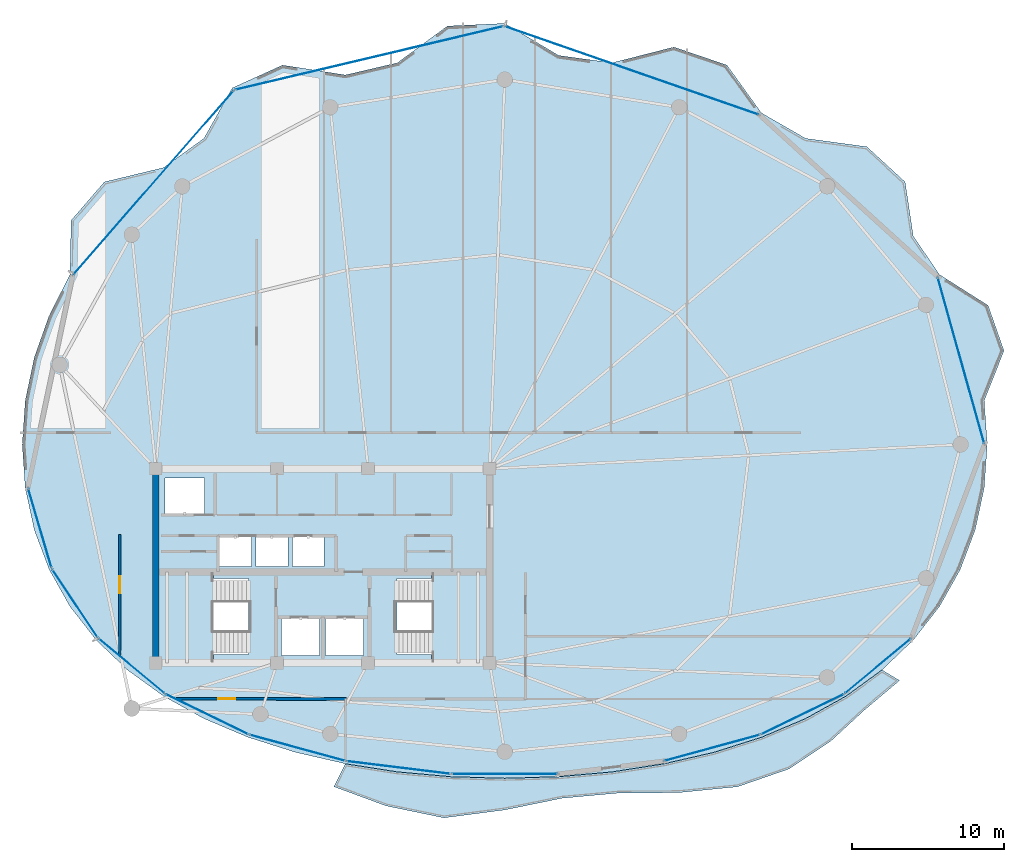
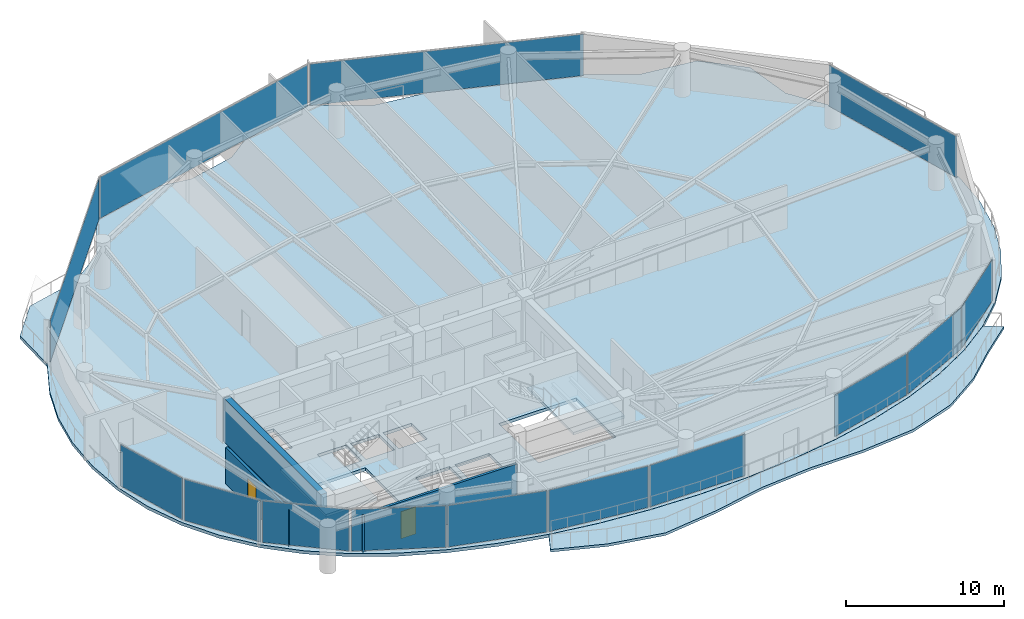
# One storey, part 22 of 28: 14 plates, 4 slabs, 3 walls, 2 doors, 2 openings, 16 elements without a shape of their own.
"""IFC4 building model written with IfcOpenShell, lengths in metres."""

from ifc_helpers import new_model, si_unit, direction, frame, frame_2d, origin, origin_2d, place, context, subcontext, project, spatial, polyline, rectangle, outline, extrude, material, layer, layer_set, type_object, element, fill, aggregate, save


model = new_model("IFC4")

# Units and contexts
model_context = context("Model", 3, precision=1e-05, world=origin(), true_north=direction((0.0, 1.0)))
body_context = subcontext(model_context, "Body", "Model", "MODEL_VIEW")
ifc_project = project(units=[si_unit("LENGTHUNIT", "METRE"), si_unit("AREAUNIT", "SQUARE_METRE"), si_unit("VOLUMEUNIT", "CUBIC_METRE"), si_unit("PLANEANGLEUNIT", "RADIAN"), si_unit("MASSUNIT", "GRAM", prefix="KILO")], contexts=[model_context])

# Site, building, storey
site_placement = place(None, origin())
site = spatial("IfcSite", under=ifc_project, at=site_placement, CompositionType="ELEMENT")
building_placement = place(site_placement, origin())
building = spatial("IfcBuilding", under=site, at=building_placement, Name="Kazevale Care Tower and Concert Hall", CompositionType="ELEMENT")
storey_placement = place(building_placement, frame((0.0, 0.0, 246.0)))
storey = spatial("IfcBuildingStorey", under=building, at=storey_placement, Name="L65", CompositionType="ELEMENT", Elevation=246.0)

# Curtain wall, plate
ifc_material_1 = material(Name="Aluminium 6063-T6 and Low-E Glass", Category="aluminium")
ifc_layer_1 = layer(ifc_material_1, 0.179931640625)
ifc_layer_set_1 = layer_set([ifc_layer_1], Name="Aluminium 6063-T6 and Low-E Glass")
curtain_wall_type_1 = type_object("IfcCurtainWallType", Name="Convex Checkerboard Finned Curtain Wall CW-2", PredefinedType="NOTDEFINED", material=ifc_layer_set_1)
curtain_wall_1_placement = place(storey_placement, origin())
curtain_wall_1 = element("IfcCurtainWall", 1, at=curtain_wall_1_placement, inside=storey, type_object=curtain_wall_type_1, Name="cw:L65:f14", PredefinedType="NOTDEFINED")
ifc_material_2 = material(Name="Low-E Laminated Glass", Category="glass")
ifc_layer_2 = layer(ifc_material_2, 0.028076171875)
ifc_layer_set_2 = layer_set([ifc_layer_2], Name="Low-E Laminated Glass")
plate_type_1 = type_object("IfcPlateType", Name="CW-2 Low-E Glazing Panel 28mm", PredefinedType="CURTAIN_PANEL", material=ifc_layer_set_2)
plate_1_placement = place(storey_placement, frame((21.85009765625, 55.2529296875, 0.074951171875), z_axis=(0.0, 0.0, 1.0), x_axis=(0.657174776708, 0.753738225685, 0.0)))
plate_1 = element("IfcPlate", 2, at=plate_1_placement, type_object=plate_type_1, Name="CW-2 panel 1.1", PredefinedType="CURTAIN_PANEL", context=body_context, shape_type="SweptSolid", body=[
    extrude(rectangle(XDim=16.03662109375, YDim=0.028076171875, at=origin_2d()), origin(), (0.0, 0.0, 1.0), 3.2099609375),
])
aggregate(curtain_wall_1, [plate_1])

curtain_wall_2_placement = place(storey_placement, origin())
curtain_wall_2 = element("IfcCurtainWall", 3, at=curtain_wall_2_placement, inside=storey, type_object=curtain_wall_type_1, Name="cw:L65:f16", PredefinedType="NOTDEFINED")
plate_2_placement = place(storey_placement, frame((53.37451171875, 62.638427734375, 0.074951171875), z_axis=(0.0, 0.0, 1.0), x_axis=(0.94447485363, -0.328583704497, 0.0)))
plate_2 = element("IfcPlate", 4, at=plate_2_placement, type_object=plate_type_1, Name="CW-2 panel 1.1", PredefinedType="CURTAIN_PANEL", context=body_context, shape_type="SweptSolid", body=[
    extrude(rectangle(XDim=17.671142578125, YDim=0.028076171875, at=origin_2d()), origin(), (0.0, 0.0, 1.0), 3.2099609375),
])
aggregate(curtain_wall_2, [plate_2])

ifc_layer_3 = layer(ifc_material_1, 0.179931640625)
ifc_layer_set_3 = layer_set([ifc_layer_3], Name="Aluminium 6063-T6 and Low-E Glass")
curtain_wall_type_2 = type_object("IfcCurtainWallType", Name="Waist & Upper Residential Curtain Wall CW-4", PredefinedType="NOTDEFINED", material=ifc_layer_set_3)
curtain_wall_3_placement = place(storey_placement, origin())
curtain_wall_3 = element("IfcCurtainWall", 5, at=curtain_wall_3_placement, inside=storey, type_object=curtain_wall_type_2, Name="cw:L65:f11", PredefinedType="NOTDEFINED")
ifc_layer_4 = layer(ifc_material_2, 0.030029296875)
ifc_layer_set_4 = layer_set([ifc_layer_4], Name="Low-E Laminated Glass")
plate_type_2 = type_object("IfcPlateType", Name="CW-4 Low-E Glazing Panel 30mm", PredefinedType="CURTAIN_PANEL", material=ifc_layer_set_4)
plate_3_placement = place(storey_placement, frame((16.677978515625, 27.525390625, 0.080078125), z_axis=(0.0, 0.0, 1.0), x_axis=(-0.554616540853, 0.832106058512, 0.0)))
plate_3 = element("IfcPlate", 6, at=plate_3_placement, type_object=plate_type_2, Name="CW-4 panel 1.1", PredefinedType="CURTAIN_PANEL", context=body_context, shape_type="SweptSolid", body=[
    extrude(rectangle(XDim=5.357421875, YDim=0.030029296875, at=origin_2d()), origin(), (0.0, 0.0, 1.0), 3.199951171875),
])
aggregate(curtain_wall_3, [plate_3])

curtain_wall_4_placement = place(storey_placement, origin())
curtain_wall_4 = element("IfcCurtainWall", 7, at=curtain_wall_4_placement, inside=storey, type_object=curtain_wall_type_2, Name="cw:L65:f12", PredefinedType="NOTDEFINED")
plate_4_placement = place(storey_placement, frame((14.363525390625, 32.489013671875, 0.080078125), z_axis=(0.0, 0.0, 1.0), x_axis=(-0.282098184457, 0.959385539982, 0.0)))
plate_4 = element("IfcPlate", 8, at=plate_4_placement, type_object=plate_type_2, Name="CW-4 panel 1.1", PredefinedType="CURTAIN_PANEL", context=body_context, shape_type="SweptSolid", body=[
    extrude(rectangle(XDim=5.40185546875, YDim=0.030029296875, at=origin_2d()), origin(), (0.0, 0.0, 1.0), 3.199951171875),
])
aggregate(curtain_wall_4, [plate_4])

curtain_wall_5_placement = place(storey_placement, origin())
curtain_wall_5 = element("IfcCurtainWall", 9, at=curtain_wall_5_placement, inside=storey, type_object=curtain_wall_type_2, Name="cw:L65:f15", PredefinedType="NOTDEFINED")
plate_5_placement = place(storey_placement, frame((36.06298828125, 63.46240234375, 0.080078125), z_axis=(0.0, 0.0, 1.0), x_axis=(0.973086746233, 0.230439111929, 0.0)))
plate_5 = element("IfcPlate", 10, at=plate_5_placement, type_object=plate_type_2, Name="CW-4 panel 1.1", PredefinedType="CURTAIN_PANEL", context=body_context, shape_type="SweptSolid", body=[
    extrude(rectangle(XDim=18.11376953125, YDim=0.030029296875, at=origin_2d()), origin(), (0.0, 0.0, 1.0), 3.199951171875),
])
aggregate(curtain_wall_5, [plate_5])

curtain_wall_6_placement = place(storey_placement, origin())
curtain_wall_6 = element("IfcCurtainWall", 11, at=curtain_wall_6_placement, inside=storey, type_object=curtain_wall_type_2, Name="cw:L65:f18", PredefinedType="NOTDEFINED")
plate_6_placement = place(storey_placement, frame((75.071533203125, 43.531005859375, 0.080078125), z_axis=(0.0, 0.0, 1.0), x_axis=(0.269600864915, -0.962972156211, 0.0)))
plate_6 = element("IfcPlate", 12, at=plate_6_placement, type_object=plate_type_2, Name="CW-4 panel 1.1", PredefinedType="CURTAIN_PANEL", context=body_context, shape_type="SweptSolid", body=[
    extrude(rectangle(XDim=11.327392578125, YDim=0.030029296875, at=origin_2d()), origin(), (0.0, 0.0, 1.0), 3.199951171875),
])
aggregate(curtain_wall_6, [plate_6])

ifc_layer_5 = layer(ifc_material_1, 0.179931640625)
ifc_layer_set_5 = layer_set([ifc_layer_5], Name="Aluminium 6063-T6 and Low-E Glass")
curtain_wall_type_3 = type_object("IfcCurtainWallType", Name="Sheltered Concave Balcony Curtain Wall CW-5", PredefinedType="NOTDEFINED", material=ifc_layer_set_5)
curtain_wall_7_placement = place(storey_placement, origin())
curtain_wall_7 = element("IfcCurtainWall", 13, at=curtain_wall_7_placement, inside=storey, type_object=curtain_wall_type_3, Name="cw:L65:f02", PredefinedType="NOTDEFINED")
ifc_layer_6 = layer(ifc_material_2, 0.02587890625)
ifc_layer_set_6 = layer_set([ifc_layer_6], Name="Low-E Laminated Glass")
plate_type_3 = type_object("IfcPlateType", Name="CW-5 Low-E Glazing Panel 26mm", PredefinedType="CURTAIN_PANEL", material=ifc_layer_set_6)
plate_7_placement = place(storey_placement, frame((69.590576171875, 23.396484375, 0.074951171875), z_axis=(0.0, 0.0, 1.0), x_axis=(-0.768407210062, -0.639961217204, 0.0)))
plate_7 = element("IfcPlate", 14, at=plate_7_placement, type_object=plate_type_3, Name="CW-5 panel 1.1", PredefinedType="CURTAIN_PANEL", context=body_context, shape_type="SweptSolid", body=[
    extrude(rectangle(XDim=5.580078125, YDim=0.02587890625, at=origin_2d()), origin(), (0.0, 0.0, 1.0), 3.2099609375),
])
aggregate(curtain_wall_7, [plate_7])

curtain_wall_8_placement = place(storey_placement, origin())
curtain_wall_8 = element("IfcCurtainWall", 15, at=curtain_wall_8_placement, inside=storey, type_object=curtain_wall_type_3, Name="cw:L65:f03", PredefinedType="NOTDEFINED")
plate_8_placement = place(storey_placement, frame((64.62255859375, 20.218017578125, 0.074951171875), z_axis=(0.0, 0.0, 1.0), x_axis=(-0.89934566163, -0.437238357087, 0.0)))
plate_8 = element("IfcPlate", 16, at=plate_8_placement, type_object=plate_type_3, Name="CW-5 panel 1.1", PredefinedType="CURTAIN_PANEL", context=body_context, shape_type="SweptSolid", body=[
    extrude(rectangle(XDim=6.002197265625, YDim=0.02587890625, at=origin_2d()), origin(), (0.0, 0.0, 1.0), 3.2099609375),
])
aggregate(curtain_wall_8, [plate_8])

curtain_wall_9_placement = place(storey_placement, origin())
curtain_wall_9 = element("IfcCurtainWall", 17, at=curtain_wall_9_placement, inside=storey, type_object=curtain_wall_type_3, Name="cw:L65:f04", PredefinedType="NOTDEFINED")
plate_9_placement = place(storey_placement, frame((58.66259765625, 18.0029296875, 0.074951171875), z_axis=(0.0, 0.0, 1.0), x_axis=(-0.964836991167, -0.262848968947, 0.0)))
plate_9 = element("IfcPlate", 18, at=plate_9_placement, type_object=plate_type_3, Name="CW-5 panel 1.1", PredefinedType="CURTAIN_PANEL", context=body_context, shape_type="SweptSolid", body=[
    extrude(rectangle(XDim=6.4697265625, YDim=0.02587890625, at=origin_2d()), origin(), (0.0, 0.0, 1.0), 3.2099609375),
])
aggregate(curtain_wall_9, [plate_9])

curtain_wall_10_placement = place(storey_placement, origin())
curtain_wall_10 = element("IfcCurtainWall", 19, at=curtain_wall_10_placement, inside=storey, type_object=curtain_wall_type_3, Name="cw:L65:f06", PredefinedType="NOTDEFINED")
plate_10_placement = place(storey_placement, frame((45.0, 16.284912109375, 0.074951171875), z_axis=(0.0, 0.0, 1.0), x_axis=(-1.0, 0.0, 0.0)))
plate_10 = element("IfcPlate", 20, at=plate_10_placement, type_object=plate_type_3, Name="CW-5 panel 1.1", PredefinedType="CURTAIN_PANEL", context=body_context, shape_type="SweptSolid", body=[
    extrude(rectangle(XDim=6.949951171875, YDim=0.02587890625, at=origin_2d()), origin(), (0.0, 0.0, 1.0), 3.2099609375),
])
aggregate(curtain_wall_10, [plate_10])

curtain_wall_11_placement = place(storey_placement, origin())
curtain_wall_11 = element("IfcCurtainWall", 21, at=curtain_wall_11_placement, inside=storey, type_object=curtain_wall_type_3, Name="cw:L65:f07", PredefinedType="NOTDEFINED")
plate_11_placement = place(storey_placement, frame((37.990478515625, 16.708984375, 0.074951171875), z_axis=(0.0, 0.0, 1.0), x_axis=(-0.992572961225, 0.121650797964, 0.0)))
plate_11 = element("IfcPlate", 22, at=plate_11_placement, type_object=plate_type_3, Name="CW-5 panel 1.1", PredefinedType="CURTAIN_PANEL", context=body_context, shape_type="SweptSolid", body=[
    extrude(rectangle(XDim=6.82080078125, YDim=0.02587890625, at=origin_2d()), origin(), (0.0, 0.0, 1.0), 3.2099609375),
])
aggregate(curtain_wall_11, [plate_11])

curtain_wall_12_placement = place(storey_placement, origin())
curtain_wall_12 = element("IfcCurtainWall", 23, at=curtain_wall_12_placement, inside=storey, type_object=curtain_wall_type_3, Name="cw:L65:f08", PredefinedType="NOTDEFINED")
plate_12_placement = place(storey_placement, frame((31.33740234375, 18.0029296875, 0.074951171875), z_axis=(0.0, 0.0, 1.0), x_axis=(-0.964836991167, 0.262848968947, 0.0)))
plate_12 = element("IfcPlate", 24, at=plate_12_placement, type_object=plate_type_3, Name="CW-5 panel 1.1", PredefinedType="CURTAIN_PANEL", context=body_context, shape_type="SweptSolid", body=[
    extrude(rectangle(XDim=6.4697265625, YDim=0.02587890625, at=origin_2d()), origin(), (0.0, 0.0, 1.0), 3.2099609375),
])
aggregate(curtain_wall_12, [plate_12])

curtain_wall_13_placement = place(storey_placement, origin())
curtain_wall_13 = element("IfcCurtainWall", 25, at=curtain_wall_13_placement, inside=storey, type_object=curtain_wall_type_3, Name="cw:L65:f09", PredefinedType="NOTDEFINED")
plate_13_placement = place(storey_placement, frame((25.37744140625, 20.218017578125, 0.074951171875), z_axis=(0.0, 0.0, 1.0), x_axis=(-0.89934566163, 0.437238357087, 0.0)))
plate_13 = element("IfcPlate", 26, at=plate_13_placement, type_object=plate_type_3, Name="CW-5 panel 1.1", PredefinedType="CURTAIN_PANEL", context=body_context, shape_type="SweptSolid", body=[
    extrude(rectangle(XDim=6.002197265625, YDim=0.02587890625, at=origin_2d()), origin(), (0.0, 0.0, 1.0), 3.2099609375),
])
aggregate(curtain_wall_13, [plate_13])

curtain_wall_14_placement = place(storey_placement, origin())
curtain_wall_14 = element("IfcCurtainWall", 27, at=curtain_wall_14_placement, inside=storey, type_object=curtain_wall_type_3, Name="cw:L65:f10", PredefinedType="NOTDEFINED")
plate_14_placement = place(storey_placement, frame((20.409423828125, 23.396484375, 0.074951171875), z_axis=(0.0, 0.0, 1.0), x_axis=(-0.768407210062, 0.639961217204, 0.0)))
plate_14 = element("IfcPlate", 28, at=plate_14_placement, type_object=plate_type_3, Name="CW-5 panel 1.1", PredefinedType="CURTAIN_PANEL", context=body_context, shape_type="SweptSolid", body=[
    extrude(rectangle(XDim=5.580078125, YDim=0.02587890625, at=origin_2d()), origin(), (0.0, 0.0, 1.0), 3.2099609375),
])
aggregate(curtain_wall_14, [plate_14])

# Slab
ifc_material_3 = material(Name="Concrete C40", Category="concrete")
ifc_layer_7 = layer(ifc_material_3, 0.199951171875)
ifc_layer_set_7 = layer_set([ifc_layer_7], Name="Concrete C40")
slab_type_1 = type_object("IfcSlabType", Name="Sinusoidal Concave Balcony Slab 200", PredefinedType="USERDEFINED", material=ifc_layer_set_7)
slab_1_placement = place(storey_placement, frame((0.0, 0.0, -0.199951171875)))
element("IfcSlab", 29, at=slab_1_placement, inside=storey, type_object=slab_type_1, Name="slab:L65:bal", ObjectType="BALCONY", PredefinedType="USERDEFINED", context=body_context, shape_type="SweptSolid", body=[
    extrude(outline(polyline([(71.021240234375, 22.44384765625), (68.714599609375, 20.504150390625), (66.472900390625, 18.43408203125), (63.746826171875, 16.6181640625), (60.34375, 15.43994140625), (56.45263671875, 15.052978515625), (52.53369140625, 15.027099609375), (48.791259765625, 14.6865234375), (45.0, 13.91357421875), (40.998046875, 13.39111328125), (37.187744140625, 14.177734375), (33.743408203125, 15.446044921875), (34.494873046875, 16.951416015625), (34.49609375, 16.951171875), (37.923095703125, 16.417236328125), (41.439208984375, 16.10009765625), (45.0, 15.9951171875), (48.560791015625, 16.10009765625), (52.076904296875, 16.417236328125), (55.50390625, 16.951171875), (58.798828125, 17.708740234375), (61.92041015625, 18.69873046875), (64.8291015625, 19.92919921875), (67.48876953125, 21.406494140625), (69.865478515625, 23.133056640625), (69.86669921875, 23.13427734375), (71.021240234375, 22.44384765625)])), origin(), (0.0, 0.0, 1.0), 0.199951171875),
])

# Stair, slab
stair_type = type_object("IfcStairType", Name="Exit Stair Assembly ST1-Z3", PredefinedType="HALF_TURN_STAIR", material=ifc_material_3)
stair_1_placement = place(storey_placement, origin())
stair_1 = element("IfcStair", 30, at=stair_1_placement, inside=storey, type_object=stair_type, Name="stair:L65:ST1", PredefinedType="HALF_TURN_STAIR")
ifc_layer_8 = layer(ifc_material_3, 0.199951171875)
ifc_layer_set_8 = layer_set([ifc_layer_8], Name="Concrete C40")
slab_type_2 = type_object("IfcSlabType", Name="Stair Half-Landing Slab ST1-Z3", PredefinedType="LANDING", material=ifc_layer_set_8)
slab_2_placement = place(storey_placement, frame((0.0, 0.0, 1.60009765625)))
slab_2 = element("IfcSlab", 31, at=slab_2_placement, type_object=slab_type_2, Name="ST1-Z3 landing 1", PredefinedType="LANDING", context=body_context, shape_type="SweptSolid", body=[
    extrude(outline(polyline([(22.050048828125, 23.699951171875), (25.81005859375, 23.699951171875), (25.81005859375, 29.5), (22.050048828125, 29.5), (22.050048828125, 23.699951171875)])), origin(), (0.0, 0.0, 1.0), 0.199951171875),
])
aggregate(stair_1, [slab_2])

stair_2_placement = place(storey_placement, origin())
stair_2 = element("IfcStair", 32, at=stair_2_placement, inside=storey, type_object=stair_type, Name="stair:L65:ST2", PredefinedType="HALF_TURN_STAIR")
slab_3_placement = place(storey_placement, frame((0.0, 0.0, 1.60009765625)))
slab_3 = element("IfcSlab", 33, at=slab_3_placement, type_object=slab_type_2, Name="ST1-Z3 landing 1", PredefinedType="LANDING", context=body_context, shape_type="SweptSolid", body=[
    extrude(outline(polyline([(40.18994140625, 23.699951171875), (43.949951171875, 23.699951171875), (43.949951171875, 29.5), (40.18994140625, 29.5), (40.18994140625, 23.699951171875)])), origin(), (0.0, 0.0, 1.0), 0.199951171875),
])
aggregate(stair_2, [slab_3])

# Slab
ifc_layer_9 = layer(ifc_material_3, 0.239990234375)
ifc_layer_set_9 = layer_set([ifc_layer_9], Name="Concrete C40")
slab_type_3 = type_object("IfcSlabType", Name="Tower Typical Floor Slab 240", PredefinedType="FLOOR", material=ifc_layer_set_9)
slab_4_placement = place(storey_placement, frame((0.0, 0.0, -0.239990234375)))
element("IfcSlab", 34, at=slab_4_placement, inside=storey, type_object=slab_type_3, Name="slab:L65:tw:1", PredefinedType="FLOOR", context=body_context, shape_type="SweptSolid", body=[
    extrude(outline(polyline([(76.800048828125, 38.0), (76.60009765625, 40.888671875), (77.90380859375, 44.175048828125), (76.856201171875, 47.165283203125), (73.65087890625, 49.194091796875), (71.92578125, 51.726318359375), (71.38671875, 55.3017578125), (68.864990234375, 57.622314453125), (64.826904296875, 58.17138671875), (61.918701171875, 59.845458984375), (59.6435546875, 63.001953125), (56.14697265625, 64.19287109375), (52.076171875, 63.153076171875), (48.560546875, 63.6376953125), (45.0, 65.75), (41.22119140625, 65.575439453125), (37.923828125, 63.153076171875), (34.4970703125, 62.352294921875), (30.3564453125, 63.001953125), (27.0439453125, 61.49658203125), (25.173095703125, 58.17138671875), (22.513916015625, 56.243408203125), (18.61328125, 55.3017578125), (16.423095703125, 52.763916015625), (16.34912109375, 49.194091796875), (14.984619140625, 46.521240234375), (13.997314453125, 43.740966796875), (13.39990234375, 40.888671875), (13.199951171875, 38.0), (13.39990234375, 35.131103515625), (13.997314453125, 32.362060546875), (14.984619140625, 29.744873046875), (16.34912109375, 27.318115234375), (18.07421875, 25.109130859375), (20.1376953125, 23.13671875), (22.513916015625, 21.41064453125), (25.173095703125, 19.933837890625), (28.081298828125, 18.70361328125), (31.202392578125, 17.713623046875), (34.4970703125, 16.9560546875), (37.923828125, 16.422119140625), (41.439453125, 16.10498046875), (45.0, 16.0), (48.560546875, 16.10498046875), (52.076171875, 16.422119140625), (55.5029296875, 16.9560546875), (58.797607421875, 17.713623046875), (61.918701171875, 18.70361328125), (64.826904296875, 19.933837890625), (67.486083984375, 21.41064453125), (69.8623046875, 23.13671875), (71.92578125, 25.109130859375), (73.65087890625, 27.318115234375), (75.015380859375, 29.744873046875), (76.002685546875, 32.362060546875), (76.60009765625, 35.131103515625), (76.800048828125, 38.0)]), holes=[polyline([(22.449951171875, 24.14990234375), (28.110107421875, 24.14990234375), (28.110107421875, 29.14990234375), (22.449951171875, 29.14990234375), (22.449951171875, 24.14990234375)]), polyline([(37.889892578125, 24.14990234375), (43.550048828125, 24.14990234375), (43.550048828125, 29.14990234375), (37.889892578125, 29.14990234375), (37.889892578125, 24.14990234375)]), polyline([(30.300048828125, 24.10009765625), (32.800048828125, 24.10009765625), (32.800048828125, 26.60009765625), (30.300048828125, 26.60009765625), (30.300048828125, 24.10009765625)]), polyline([(33.199951171875, 24.10009765625), (35.699951171875, 24.10009765625), (35.699951171875, 26.60009765625), (33.199951171875, 26.60009765625), (33.199951171875, 24.10009765625)]), polyline([(22.60009765625, 33.39990234375), (25.199951171875, 33.39990234375), (25.199951171875, 35.800048828125), (22.60009765625, 35.800048828125), (22.60009765625, 33.39990234375)]), polyline([(26.199951171875, 29.949951171875), (28.300048828125, 29.949951171875), (28.300048828125, 31.949951171875), (26.199951171875, 31.949951171875), (26.199951171875, 29.949951171875)]), polyline([(28.60009765625, 29.949951171875), (30.699951171875, 29.949951171875), (30.699951171875, 31.949951171875), (28.60009765625, 31.949951171875), (28.60009765625, 29.949951171875)]), polyline([(31.0, 29.949951171875), (33.10009765625, 29.949951171875), (33.10009765625, 31.949951171875), (31.0, 31.949951171875), (31.0, 29.949951171875)])]), origin(), (0.0, 0.0, 1.0), 0.239990234375),
])

# Wall
ifc_material_4 = material(Name="Concrete C50", Category="concrete")
ifc_layer_10 = layer(ifc_material_4, 0.449951171875)
ifc_layer_set_10 = layer_set([ifc_layer_10], Name="Concrete C50")
wall_type_1 = type_object("IfcWallType", Name="Core Shear Wall 450 C50", PredefinedType="SHEAR", material=ifc_layer_set_10)
wall_1_placement = place(storey_placement, frame((22.0, 23.824951171875, 0.0), z_axis=(0.0, 0.0, 1.0), x_axis=(0.0, 1.0, 0.0)))
element("IfcWall", 35, at=wall_1_placement, inside=storey, type_object=wall_type_1, Name="wall:L65:core:W", PredefinedType="SHEAR", context=body_context, shape_type="SweptSolid", body=[
    extrude(rectangle(XDim=12.35009765625, YDim=0.449951171875, at=frame_2d((6.175048828125, 0.0))), origin(), (0.0, 0.0, 1.0), 3.360107421875),
])

# Wall, opening, door
ifc_material_5 = material(Name="Concrete C40 and Acoustic Gypsum", Category="concrete")
ifc_layer_11 = layer(ifc_material_5, 0.179931640625)
ifc_layer_set_11 = layer_set([ifc_layer_11], Name="Concrete C40 and Acoustic Gypsum")
wall_type_2 = type_object("IfcWallType", Name="Fire-Rated Corridor & Party Wall 180", PredefinedType="PARTITIONING", material=ifc_layer_set_11)
wall_2_placement = place(storey_placement, frame((34.56494140625, 21.22509765625, 0.0), z_axis=(0.0, 0.0, 1.0), x_axis=(-0.999998853153, 0.001514494152, 0.0)))
wall_2 = element("IfcWall", 36, at=wall_2_placement, inside=storey, type_object=wall_type_2, Name="wall:L65:auto_012", PredefinedType="PARTITIONING", context=body_context, shape_type="SweptSolid", body=[
    extrude(rectangle(XDim=11.2841796875, YDim=0.179931640625, at=frame_2d((5.64208984375, 0.0))), origin(), (0.0, 0.0, 1.0), 2.889892578125),
])
opening_1_placement = place(wall_2_placement, frame((7.3291015625, 0.0, 0.0)))
opening_1 = element("IfcOpeningElement", 37, at=opening_1_placement, cuts=wall_2, Name="Opening ID-1100", PredefinedType="OPENING", context=body_context, shape_type="SweptSolid", body=[
    extrude(rectangle(XDim=1.10009765625, YDim=2.10009765625, at=frame_2d((0.550048828125, 1.050048828125))), frame((0.0, 0.099853515625, 0.0), z_axis=(0.0, -1.0, 0.0), x_axis=(1.0, 0.0, 0.0)), (0.0, 0.0, 1.0), 0.199951171875),
])
ifc_material_6 = material(Name="Oak Timber Fire Leaf", Category="wood")
door_type = type_object("IfcDoorType", Name="Care Bedroom Accessible Door 1100x2100", OperationType="NOTDEFINED", PredefinedType="DOOR", material=ifc_material_6)
door_1_placement = place(opening_1_placement, origin())
door_1 = element("IfcDoor", 38, at=door_1_placement, inside=storey, type_object=door_type, Name="door:L65:ad_012", OperationType="SINGLE_SWING_LEFT", OverallHeight=2.10009765625, OverallWidth=1.10009765625, PredefinedType="DOOR", context=body_context, shape_type="SweptSolid", body=[
    extrude(rectangle(XDim=1.10009765625, YDim=2.10009765625, at=frame_2d((0.550048828125, 1.050048828125))), frame((0.0, 0.02490234375, 0.0), z_axis=(0.0, -1.0, 0.0), x_axis=(1.0, 0.0, 0.0)), (0.0, 0.0, 1.0), 0.050048828125),
])
fill(opening_1, door_1)

wall_3_placement = place(storey_placement, frame((19.625, 24.059814453125, 0.0), z_axis=(0.0, 0.0, 1.0), x_axis=(0.0, 1.0, 0.0)))
wall_3 = element("IfcWall", 39, at=wall_3_placement, inside=storey, type_object=wall_type_2, Name="wall:L65:auto_014", PredefinedType="PARTITIONING", context=body_context, shape_type="SweptSolid", body=[
    extrude(rectangle(XDim=8.005126953125, YDim=0.179931640625, at=frame_2d((4.00244140625, 0.0))), origin(), (0.0, 0.0, 1.0), 2.81689453125),
])
opening_2_placement = place(wall_3_placement, frame((4.139892578125, 0.0, 0.0)))
opening_2 = element("IfcOpeningElement", 40, at=opening_2_placement, cuts=wall_3, Name="Opening ID-1100", PredefinedType="OPENING", context=body_context, shape_type="SweptSolid", body=[
    extrude(rectangle(XDim=1.10009765625, YDim=2.10009765625, at=frame_2d((0.550048828125, 1.050048828125))), frame((0.0, 0.099853515625, 0.0), z_axis=(0.0, -1.0, 0.0), x_axis=(1.0, 0.0, 0.0)), (0.0, 0.0, 1.0), 0.199951171875),
])
door_2_placement = place(opening_2_placement, origin())
door_2 = element("IfcDoor", 41, at=door_2_placement, inside=storey, type_object=door_type, Name="door:L65:ad_014", OperationType="SINGLE_SWING_LEFT", OverallHeight=2.10009765625, OverallWidth=1.10009765625, PredefinedType="DOOR", context=body_context, shape_type="SweptSolid", body=[
    extrude(rectangle(XDim=1.10009765625, YDim=2.10009765625, at=frame_2d((0.550048828125, 1.050048828125))), frame((0.0, 0.02490234375, 0.0), z_axis=(0.0, -1.0, 0.0), x_axis=(1.0, 0.0, 0.0)), (0.0, 0.0, 1.0), 0.050048828125),
])
fill(opening_2, door_2)

save(model, "model.ifc")
